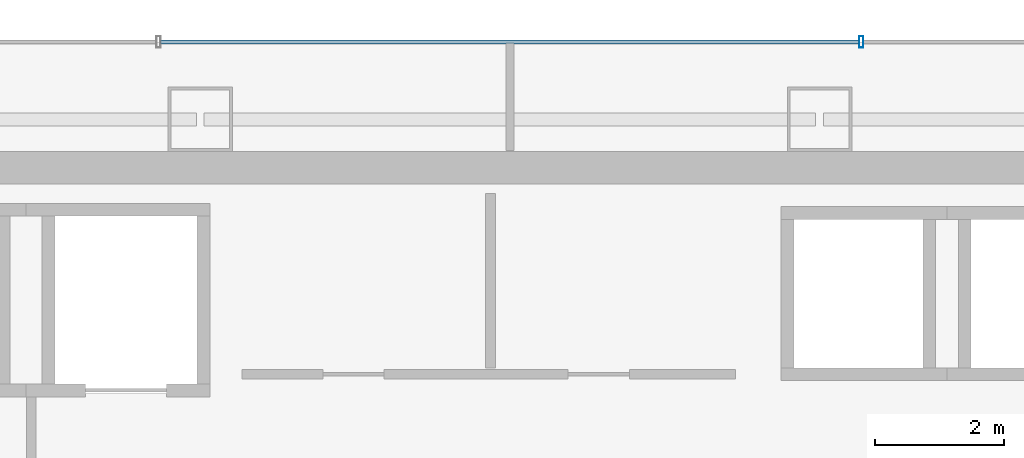
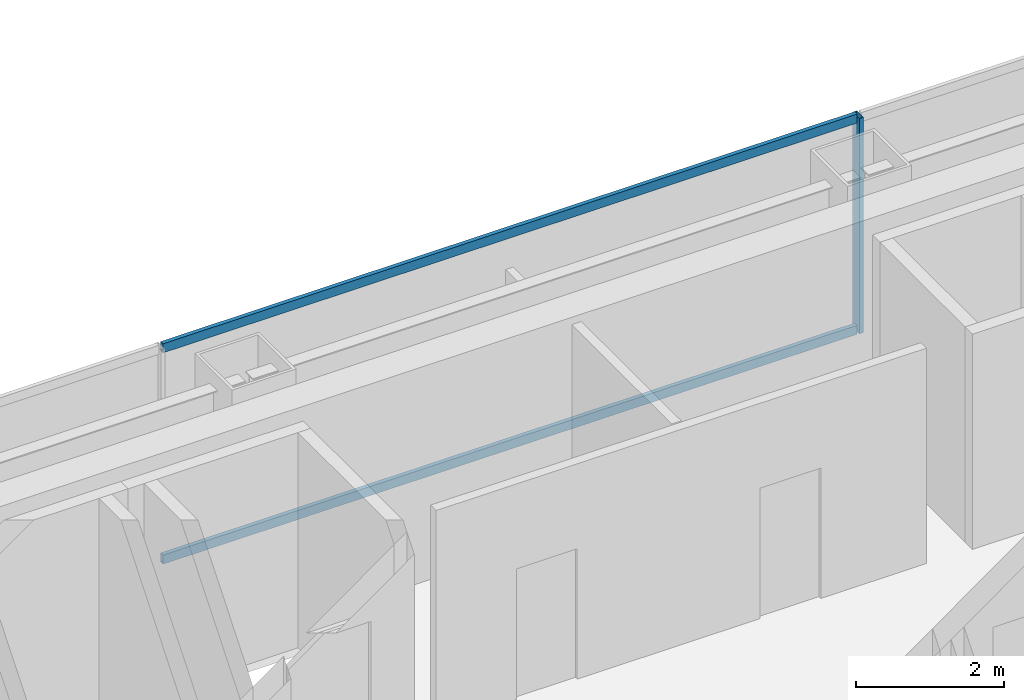
# One storey, part 24 of 36: 3 members, 1 element without a shape of its own.
"""IFC4 building model written with IfcOpenShell, lengths in metres."""

from ifc_helpers import new_model, si_unit, direction, frame, origin, origin_2d, place, context, subcontext, project, spatial, hollow_rectangle, extrude, material, material_profile, profile_set, type_object, element, aggregate, save


model = new_model("IFC4")

# Units and contexts
model_context = context("Model", 3, precision=1e-05, world=origin(), true_north=direction((0.0, 1.0)))
body_context = subcontext(model_context, "Body", "Model", "MODEL_VIEW")
ifc_project = project(units=[si_unit("LENGTHUNIT", "METRE"), si_unit("AREAUNIT", "SQUARE_METRE"), si_unit("VOLUMEUNIT", "CUBIC_METRE"), si_unit("PLANEANGLEUNIT", "RADIAN"), si_unit("MASSUNIT", "GRAM", prefix="KILO")], contexts=[model_context])

# Site, building, storey
site_placement = place(None, origin())
site = spatial("IfcSite", under=ifc_project, at=site_placement, CompositionType="ELEMENT")
building_placement = place(site_placement, origin())
building = spatial("IfcBuilding", under=site, at=building_placement, Name="Saevonmaru Cultural Tower", CompositionType="ELEMENT")
storey_placement = place(building_placement, frame((0.0, 0.0, 152.39990234375)))
storey = spatial("IfcBuildingStorey", under=building, at=storey_placement, Name="L33", CompositionType="ELEMENT", Elevation=152.39990234375)

# Curtain wall, members
ifc_material = material(Name="Satin Bronze Anodised Aluminium", Category="aluminium")
curtain_wall_type = type_object("IfcCurtainWallType", Name="CW-TYP-A", PredefinedType="NOTDEFINED", material=ifc_material)
curtain_wall_placement = place(storey_placement, origin())
curtain_wall = element("IfcCurtainWall", 1, at=curtain_wall_placement, inside=storey, type_object=curtain_wall_type, Name="L33 North Spine Unitised Curtain Wall E10B", PredefinedType="NOTDEFINED")
ifc_material_profile_1 = material_profile(ifc_material, hollow_rectangle(XDim=0.06494140625, YDim=0.179931640625, WallThickness=0.00390625, at=origin_2d()), Name="ALU-MULL-180x65x4")
ifc_profile_set_1 = profile_set([ifc_material_profile_1], Name="Satin Bronze Anodised Aluminium")
member_type_1 = type_object("IfcMemberType", Name="ML-CW-180x65", PredefinedType="MULLION", material=ifc_profile_set_1)
member_1_placement = place(storey_placement, frame((35.44677734375, 56.0, 0.0), z_axis=(0.0, 0.0, 1.0), x_axis=(-1.0, 0.0, 0.0)))
member_1 = element("IfcMember", 2, at=member_1_placement, type_object=member_type_1, Name="CW-TW-L33-E10B mullion 2", PredefinedType="MULLION", context=body_context, shape_type="SweptSolid", body=[
    extrude(hollow_rectangle(XDim=0.06494140625, YDim=0.179931640625, WallThickness=0.00390625, at=origin_2d()), origin(), (0.0, 0.0, 1.0), 3.550048828125),
])
ifc_material_profile_2 = material_profile(ifc_material, hollow_rectangle(XDim=0.06494140625, YDim=0.14990234375, WallThickness=0.00390625, at=origin_2d()), Name="ALU-TRAN-150x65x4")
ifc_profile_set_2 = profile_set([ifc_material_profile_2], Name="Satin Bronze Anodised Aluminium")
member_type_2 = type_object("IfcMemberType", Name="TR-CW-150x65", PredefinedType="USERDEFINED", material=ifc_profile_set_2)
member_2_placement = place(storey_placement, frame((35.4140625, 56.0, 0.03271484375), z_axis=(-1.0, 0.0, 0.0), x_axis=(0.0, -1.0, 0.0)))
member_2 = element("IfcMember", 3, at=member_2_placement, type_object=member_type_2, Name="CW-TW-L33-E10B transom 2.1", ObjectType="TRANSOM", PredefinedType="USERDEFINED", context=body_context, shape_type="SweptSolid", body=[
    extrude(hollow_rectangle(XDim=0.06494140625, YDim=0.14990234375, WallThickness=0.00390625, at=origin_2d()), origin(), (0.0, 0.0, 1.0), 10.828125),
])
member_3_placement = place(storey_placement, frame((35.4140625, 56.0, 3.517578125), z_axis=(-1.0, 0.0, 0.0), x_axis=(0.0, -1.0, 0.0)))
member_3 = element("IfcMember", 4, at=member_3_placement, type_object=member_type_2, Name="CW-TW-L33-E10B transom 2.2", ObjectType="TRANSOM", PredefinedType="USERDEFINED", context=body_context, shape_type="SweptSolid", body=[
    extrude(hollow_rectangle(XDim=0.06494140625, YDim=0.14990234375, WallThickness=0.00390625, at=origin_2d()), origin(), (0.0, 0.0, 1.0), 10.828125),
])
aggregate(curtain_wall, [member_1, member_2, member_3])

save(model, "model.ifc")
